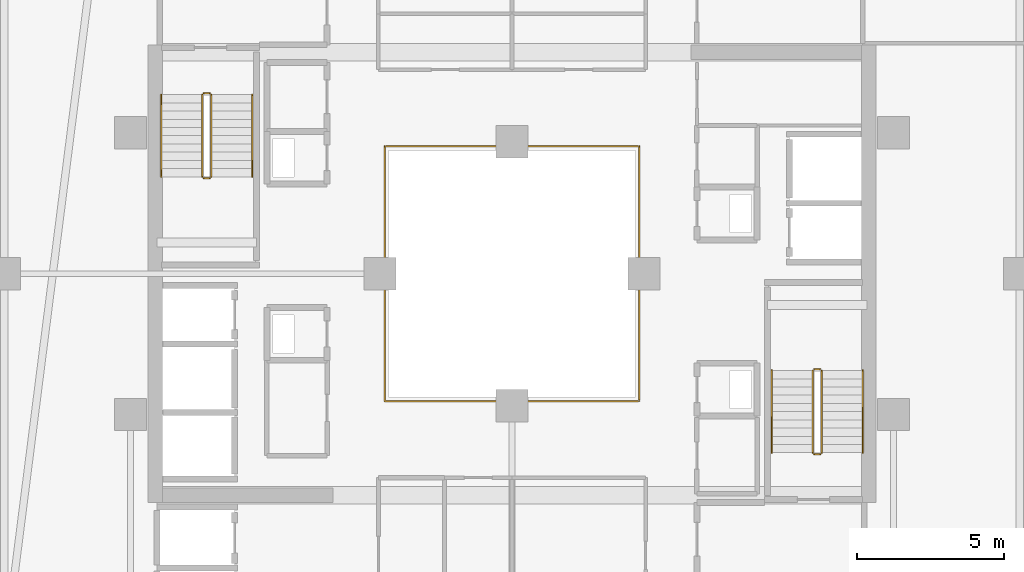
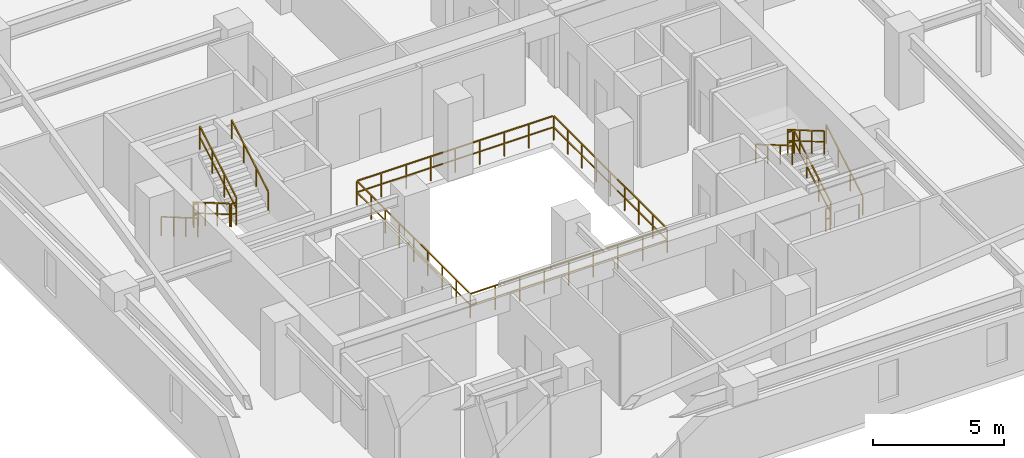
# One storey, part 32 of 33: 13 railings.
"""IFC4 building model written with IfcOpenShell, lengths in metres."""

from ifc_helpers import new_model, si_unit, direction, frame, origin, origin_2d, place, context, subcontext, project, spatial, rectangle, extrude, material, type_object, element, save


model = new_model("IFC4")

# Units and contexts
model_context = context("Model", 3, precision=1e-05, world=origin(), true_north=direction((0.0, 1.0)))
body_context = subcontext(model_context, "Body", "Model", "MODEL_VIEW")
ifc_project = project(units=[si_unit("LENGTHUNIT", "METRE"), si_unit("AREAUNIT", "SQUARE_METRE"), si_unit("VOLUMEUNIT", "CUBIC_METRE"), si_unit("PLANEANGLEUNIT", "RADIAN"), si_unit("MASSUNIT", "GRAM", prefix="KILO")], contexts=[model_context])

# Site, building, storey
site_placement = place(None, origin())
site = spatial("IfcSite", under=ifc_project, at=site_placement, CompositionType="ELEMENT")
building_placement = place(site_placement, origin())
building = spatial("IfcBuilding", under=site, at=building_placement, Name="Thornwick Lancets Civic Towers", CompositionType="ELEMENT")
storey_placement = place(building_placement, frame((0.0, 0.0, 167.10009765625)))
storey = spatial("IfcBuildingStorey", under=building, at=storey_placement, Name="L44", CompositionType="ELEMENT", Elevation=167.10009765625)

# Railings
ifc_material_1 = material(Name="Laminated glass and bronze steel S355", Category="steel")
railing_type_1 = type_object("IfcRailingType", Name="RAIL_ATRIUM_GUARD", PredefinedType="BALUSTRADE", material=ifc_material_1)
railing_1_placement = place(storey_placement, frame((84.159912109375, 22.659912109375, 0.0)))
element("IfcRailing", 1, at=railing_1_placement, inside=storey, type_object=railing_type_1, Name="L44 Tower B Central Atrium Guard Balustrade", PredefinedType="BALUSTRADE", context=body_context, shape_type="SweptSolid", body=[
    extrude(rectangle(XDim=0.048095703125, YDim=0.048095703125, at=origin_2d()), frame((0.0, 0.0, 1.1259765625), z_axis=(1.0, 0.0, 0.0), x_axis=(0.0, 1.0, 0.0)), (0.0, 0.0, 1.0), 8.64892578125),
    extrude(rectangle(XDim=0.0419921875, YDim=0.0419921875, at=origin_2d()), frame((0.03759765625, 0.0, 0.597900390625), z_axis=(1.0, 0.0, 0.0), x_axis=(0.0, 1.0, 0.0)), (0.0, 0.0, 1.0), 1.010009765625),
    extrude(rectangle(XDim=0.0419921875, YDim=0.0419921875, at=origin_2d()), frame((1.12255859375, 0.0, 0.597900390625), z_axis=(1.0, 0.0, 0.0), x_axis=(0.0, 1.0, 0.0)), (0.0, 0.0, 1.0), 1.010009765625),
    extrude(rectangle(XDim=0.0419921875, YDim=0.0419921875, at=origin_2d()), frame((2.20751953125, 0.0, 0.597900390625), z_axis=(1.0, 0.0, 0.0), x_axis=(0.0, 1.0, 0.0)), (0.0, 0.0, 1.0), 1.010009765625),
    extrude(rectangle(XDim=0.0419921875, YDim=0.0419921875, at=origin_2d()), frame((3.29248046875, 0.0, 0.597900390625), z_axis=(1.0, 0.0, 0.0), x_axis=(0.0, 1.0, 0.0)), (0.0, 0.0, 1.0), 1.010009765625),
    extrude(rectangle(XDim=0.0419921875, YDim=0.0419921875, at=origin_2d()), frame((4.377685546875, 0.0, 0.597900390625), z_axis=(1.0, 0.0, 0.0), x_axis=(0.0, 1.0, 0.0)), (0.0, 0.0, 1.0), 1.010009765625),
    extrude(rectangle(XDim=0.0419921875, YDim=0.0419921875, at=origin_2d()), frame((5.462646484375, 0.0, 0.597900390625), z_axis=(1.0, 0.0, 0.0), x_axis=(0.0, 1.0, 0.0)), (0.0, 0.0, 1.0), 1.010009765625),
    extrude(rectangle(XDim=0.0419921875, YDim=0.0419921875, at=origin_2d()), frame((6.547607421875, 0.0, 0.597900390625), z_axis=(1.0, 0.0, 0.0), x_axis=(0.0, 1.0, 0.0)), (0.0, 0.0, 1.0), 1.010009765625),
    extrude(rectangle(XDim=0.0419921875, YDim=0.0419921875, at=origin_2d()), frame((7.632568359375, 0.0, 0.597900390625), z_axis=(1.0, 0.0, 0.0), x_axis=(0.0, 1.0, 0.0)), (0.0, 0.0, 1.0), 1.010009765625),
    extrude(rectangle(XDim=0.048095703125, YDim=0.048095703125, at=origin_2d()), frame((8.68017578125, 0.03125, 1.1259765625), z_axis=(0.0, 1.0, 0.0), x_axis=(-1.0, 0.0, 0.0)), (0.0, 0.0, 1.0), 8.61767578125),
    extrude(rectangle(XDim=0.0419921875, YDim=0.0419921875, at=origin_2d()), frame((8.68017578125, 0.03759765625, 0.597900390625), z_axis=(0.0, 1.0, 0.0), x_axis=(-1.0, 0.0, 0.0)), (0.0, 0.0, 1.0), 1.010009765625),
    extrude(rectangle(XDim=0.0419921875, YDim=0.0419921875, at=origin_2d()), frame((8.68017578125, 1.12255859375, 0.597900390625), z_axis=(0.0, 1.0, 0.0), x_axis=(-1.0, 0.0, 0.0)), (0.0, 0.0, 1.0), 1.010009765625),
    extrude(rectangle(XDim=0.0419921875, YDim=0.0419921875, at=origin_2d()), frame((8.68017578125, 2.20751953125, 0.597900390625), z_axis=(0.0, 1.0, 0.0), x_axis=(-1.0, 0.0, 0.0)), (0.0, 0.0, 1.0), 1.010009765625),
    extrude(rectangle(XDim=0.0419921875, YDim=0.0419921875, at=origin_2d()), frame((8.68017578125, 3.29248046875, 0.597900390625), z_axis=(0.0, 1.0, 0.0), x_axis=(-1.0, 0.0, 0.0)), (0.0, 0.0, 1.0), 1.010009765625),
    extrude(rectangle(XDim=0.0419921875, YDim=0.0419921875, at=origin_2d()), frame((8.68017578125, 4.377685546875, 0.597900390625), z_axis=(0.0, 1.0, 0.0), x_axis=(-1.0, 0.0, 0.0)), (0.0, 0.0, 1.0), 1.010009765625),
    extrude(rectangle(XDim=0.0419921875, YDim=0.0419921875, at=origin_2d()), frame((8.68017578125, 5.462646484375, 0.597900390625), z_axis=(0.0, 1.0, 0.0), x_axis=(-1.0, 0.0, 0.0)), (0.0, 0.0, 1.0), 1.010009765625),
    extrude(rectangle(XDim=0.0419921875, YDim=0.0419921875, at=origin_2d()), frame((8.68017578125, 6.547607421875, 0.597900390625), z_axis=(0.0, 1.0, 0.0), x_axis=(-1.0, 0.0, 0.0)), (0.0, 0.0, 1.0), 1.010009765625),
    extrude(rectangle(XDim=0.0419921875, YDim=0.0419921875, at=origin_2d()), frame((8.68017578125, 7.632568359375, 0.597900390625), z_axis=(0.0, 1.0, 0.0), x_axis=(-1.0, 0.0, 0.0)), (0.0, 0.0, 1.0), 1.010009765625),
    extrude(rectangle(XDim=0.048095703125, YDim=0.048095703125, at=origin_2d()), frame((8.64892578125, 8.68017578125, 1.1259765625), z_axis=(-1.0, 0.0, 0.0), x_axis=(0.0, -1.0, 0.0)), (0.0, 0.0, 1.0), 8.61767578125),
    extrude(rectangle(XDim=0.0419921875, YDim=0.0419921875, at=origin_2d()), frame((8.642578125, 8.68017578125, 0.597900390625), z_axis=(-1.0, 0.0, 0.0), x_axis=(0.0, -1.0, 0.0)), (0.0, 0.0, 1.0), 1.010009765625),
    extrude(rectangle(XDim=0.0419921875, YDim=0.0419921875, at=origin_2d()), frame((7.5576171875, 8.68017578125, 0.597900390625), z_axis=(-1.0, 0.0, 0.0), x_axis=(0.0, -1.0, 0.0)), (0.0, 0.0, 1.0), 1.010009765625),
    extrude(rectangle(XDim=0.0419921875, YDim=0.0419921875, at=origin_2d()), frame((6.47265625, 8.68017578125, 0.597900390625), z_axis=(-1.0, 0.0, 0.0), x_axis=(0.0, -1.0, 0.0)), (0.0, 0.0, 1.0), 1.010009765625),
    extrude(rectangle(XDim=0.0419921875, YDim=0.0419921875, at=origin_2d()), frame((5.3876953125, 8.68017578125, 0.597900390625), z_axis=(-1.0, 0.0, 0.0), x_axis=(0.0, -1.0, 0.0)), (0.0, 0.0, 1.0), 1.010009765625),
    extrude(rectangle(XDim=0.0419921875, YDim=0.0419921875, at=origin_2d()), frame((4.302490234375, 8.68017578125, 0.597900390625), z_axis=(-1.0, 0.0, 0.0), x_axis=(0.0, -1.0, 0.0)), (0.0, 0.0, 1.0), 1.010009765625),
    extrude(rectangle(XDim=0.0419921875, YDim=0.0419921875, at=origin_2d()), frame((3.217529296875, 8.68017578125, 0.597900390625), z_axis=(-1.0, 0.0, 0.0), x_axis=(0.0, -1.0, 0.0)), (0.0, 0.0, 1.0), 1.010009765625),
    extrude(rectangle(XDim=0.0419921875, YDim=0.0419921875, at=origin_2d()), frame((2.132568359375, 8.68017578125, 0.597900390625), z_axis=(-1.0, 0.0, 0.0), x_axis=(0.0, -1.0, 0.0)), (0.0, 0.0, 1.0), 1.010009765625),
    extrude(rectangle(XDim=0.0419921875, YDim=0.0419921875, at=origin_2d()), frame((1.047607421875, 8.68017578125, 0.597900390625), z_axis=(-1.0, 0.0, 0.0), x_axis=(0.0, -1.0, 0.0)), (0.0, 0.0, 1.0), 1.010009765625),
    extrude(rectangle(XDim=0.048095703125, YDim=0.048095703125, at=origin_2d()), frame((0.0, 8.64892578125, 1.1259765625), z_axis=(0.0, -1.0, 0.0), x_axis=(1.0, 0.0, 0.0)), (0.0, 0.0, 1.0), 8.64892578125),
    extrude(rectangle(XDim=0.0419921875, YDim=0.0419921875, at=origin_2d()), frame((0.0, 8.642578125, 0.597900390625), z_axis=(0.0, -1.0, 0.0), x_axis=(1.0, 0.0, 0.0)), (0.0, 0.0, 1.0), 1.010009765625),
    extrude(rectangle(XDim=0.0419921875, YDim=0.0419921875, at=origin_2d()), frame((0.0, 7.5576171875, 0.597900390625), z_axis=(0.0, -1.0, 0.0), x_axis=(1.0, 0.0, 0.0)), (0.0, 0.0, 1.0), 1.010009765625),
    extrude(rectangle(XDim=0.0419921875, YDim=0.0419921875, at=origin_2d()), frame((0.0, 6.47265625, 0.597900390625), z_axis=(0.0, -1.0, 0.0), x_axis=(1.0, 0.0, 0.0)), (0.0, 0.0, 1.0), 1.010009765625),
    extrude(rectangle(XDim=0.0419921875, YDim=0.0419921875, at=origin_2d()), frame((0.0, 5.3876953125, 0.597900390625), z_axis=(0.0, -1.0, 0.0), x_axis=(1.0, 0.0, 0.0)), (0.0, 0.0, 1.0), 1.010009765625),
    extrude(rectangle(XDim=0.0419921875, YDim=0.0419921875, at=origin_2d()), frame((0.0, 4.302490234375, 0.597900390625), z_axis=(0.0, -1.0, 0.0), x_axis=(1.0, 0.0, 0.0)), (0.0, 0.0, 1.0), 1.010009765625),
    extrude(rectangle(XDim=0.0419921875, YDim=0.0419921875, at=origin_2d()), frame((0.0, 3.217529296875, 0.597900390625), z_axis=(0.0, -1.0, 0.0), x_axis=(1.0, 0.0, 0.0)), (0.0, 0.0, 1.0), 1.010009765625),
    extrude(rectangle(XDim=0.0419921875, YDim=0.0419921875, at=origin_2d()), frame((0.0, 2.132568359375, 0.597900390625), z_axis=(0.0, -1.0, 0.0), x_axis=(1.0, 0.0, 0.0)), (0.0, 0.0, 1.0), 1.010009765625),
    extrude(rectangle(XDim=0.0419921875, YDim=0.0419921875, at=origin_2d()), frame((0.0, 1.047607421875, 0.597900390625), z_axis=(0.0, -1.0, 0.0), x_axis=(1.0, 0.0, 0.0)), (0.0, 0.0, 1.0), 1.010009765625),
    extrude(rectangle(XDim=0.0419921875, YDim=0.0419921875, at=origin_2d()), origin(), (0.0, 0.0, 1.0), 1.095703125),
    extrude(rectangle(XDim=0.0419921875, YDim=0.0419921875, at=origin_2d()), frame((1.0849609375, 0.0, 0.0)), (0.0, 0.0, 1.0), 1.095703125),
    extrude(rectangle(XDim=0.0419921875, YDim=0.0419921875, at=origin_2d()), frame((2.169921875, 0.0, 0.0)), (0.0, 0.0, 1.0), 1.095703125),
    extrude(rectangle(XDim=0.0419921875, YDim=0.0419921875, at=origin_2d()), frame((3.255126953125, 0.0, 0.0)), (0.0, 0.0, 1.0), 1.095703125),
    extrude(rectangle(XDim=0.0419921875, YDim=0.0419921875, at=origin_2d()), frame((4.340087890625, 0.0, 0.0)), (0.0, 0.0, 1.0), 1.095703125),
    extrude(rectangle(XDim=0.0419921875, YDim=0.0419921875, at=origin_2d()), frame((5.425048828125, 0.0, 0.0)), (0.0, 0.0, 1.0), 1.095703125),
    extrude(rectangle(XDim=0.0419921875, YDim=0.0419921875, at=origin_2d()), frame((6.51025390625, 0.0, 0.0)), (0.0, 0.0, 1.0), 1.095703125),
    extrude(rectangle(XDim=0.0419921875, YDim=0.0419921875, at=origin_2d()), frame((7.59521484375, 0.0, 0.0)), (0.0, 0.0, 1.0), 1.095703125),
    extrude(rectangle(XDim=0.0419921875, YDim=0.0419921875, at=origin_2d()), frame((8.68017578125, 0.0, 0.0)), (0.0, 0.0, 1.0), 1.095703125),
    extrude(rectangle(XDim=0.0419921875, YDim=0.0419921875, at=origin_2d()), frame((8.68017578125, 1.0849609375, 0.0)), (0.0, 0.0, 1.0), 1.095703125),
    extrude(rectangle(XDim=0.0419921875, YDim=0.0419921875, at=origin_2d()), frame((8.68017578125, 2.169921875, 0.0)), (0.0, 0.0, 1.0), 1.095703125),
    extrude(rectangle(XDim=0.0419921875, YDim=0.0419921875, at=origin_2d()), frame((8.68017578125, 3.255126953125, 0.0)), (0.0, 0.0, 1.0), 1.095703125),
    extrude(rectangle(XDim=0.0419921875, YDim=0.0419921875, at=origin_2d()), frame((8.68017578125, 4.340087890625, 0.0)), (0.0, 0.0, 1.0), 1.095703125),
    extrude(rectangle(XDim=0.0419921875, YDim=0.0419921875, at=origin_2d()), frame((8.68017578125, 5.425048828125, 0.0)), (0.0, 0.0, 1.0), 1.095703125),
    extrude(rectangle(XDim=0.0419921875, YDim=0.0419921875, at=origin_2d()), frame((8.68017578125, 6.51025390625, 0.0)), (0.0, 0.0, 1.0), 1.095703125),
    extrude(rectangle(XDim=0.0419921875, YDim=0.0419921875, at=origin_2d()), frame((8.68017578125, 7.59521484375, 0.0)), (0.0, 0.0, 1.0), 1.095703125),
    extrude(rectangle(XDim=0.0419921875, YDim=0.0419921875, at=origin_2d()), frame((8.68017578125, 8.68017578125, 0.0)), (0.0, 0.0, 1.0), 1.095703125),
    extrude(rectangle(XDim=0.0419921875, YDim=0.0419921875, at=origin_2d()), frame((7.59521484375, 8.68017578125, 0.0)), (0.0, 0.0, 1.0), 1.095703125),
    extrude(rectangle(XDim=0.0419921875, YDim=0.0419921875, at=origin_2d()), frame((6.51025390625, 8.68017578125, 0.0)), (0.0, 0.0, 1.0), 1.095703125),
    extrude(rectangle(XDim=0.0419921875, YDim=0.0419921875, at=origin_2d()), frame((5.425048828125, 8.68017578125, 0.0)), (0.0, 0.0, 1.0), 1.095703125),
    extrude(rectangle(XDim=0.0419921875, YDim=0.0419921875, at=origin_2d()), frame((4.340087890625, 8.68017578125, 0.0)), (0.0, 0.0, 1.0), 1.095703125),
    extrude(rectangle(XDim=0.0419921875, YDim=0.0419921875, at=origin_2d()), frame((3.255126953125, 8.68017578125, 0.0)), (0.0, 0.0, 1.0), 1.095703125),
    extrude(rectangle(XDim=0.0419921875, YDim=0.0419921875, at=origin_2d()), frame((2.169921875, 8.68017578125, 0.0)), (0.0, 0.0, 1.0), 1.095703125),
    extrude(rectangle(XDim=0.0419921875, YDim=0.0419921875, at=origin_2d()), frame((1.0849609375, 8.68017578125, 0.0)), (0.0, 0.0, 1.0), 1.095703125),
    extrude(rectangle(XDim=0.0419921875, YDim=0.0419921875, at=origin_2d()), frame((0.0, 8.68017578125, 0.0)), (0.0, 0.0, 1.0), 1.095703125),
    extrude(rectangle(XDim=0.0419921875, YDim=0.0419921875, at=origin_2d()), frame((0.0, 7.59521484375, 0.0)), (0.0, 0.0, 1.0), 1.095703125),
    extrude(rectangle(XDim=0.0419921875, YDim=0.0419921875, at=origin_2d()), frame((0.0, 6.51025390625, 0.0)), (0.0, 0.0, 1.0), 1.095703125),
    extrude(rectangle(XDim=0.0419921875, YDim=0.0419921875, at=origin_2d()), frame((0.0, 5.425048828125, 0.0)), (0.0, 0.0, 1.0), 1.095703125),
    extrude(rectangle(XDim=0.0419921875, YDim=0.0419921875, at=origin_2d()), frame((0.0, 4.340087890625, 0.0)), (0.0, 0.0, 1.0), 1.095703125),
    extrude(rectangle(XDim=0.0419921875, YDim=0.0419921875, at=origin_2d()), frame((0.0, 3.255126953125, 0.0)), (0.0, 0.0, 1.0), 1.095703125),
    extrude(rectangle(XDim=0.0419921875, YDim=0.0419921875, at=origin_2d()), frame((0.0, 2.169921875, 0.0)), (0.0, 0.0, 1.0), 1.095703125),
    extrude(rectangle(XDim=0.0419921875, YDim=0.0419921875, at=origin_2d()), frame((0.0, 1.0849609375, 0.0)), (0.0, 0.0, 1.0), 1.095703125),
])
ifc_material_2 = material(Name="Brushed stainless steel S355", Category="steel")
railing_type_2 = type_object("IfcRailingType", Name="RAIL_HANDRAIL", PredefinedType="HANDRAIL", material=ifc_material_2)
railing_2_placement = place(storey_placement, frame((100.449951171875, 20.89990234375, 0.16357421875)))
element("IfcRailing", 2, at=railing_2_placement, inside=storey, type_object=railing_type_2, Name="L44 ST-B1 stair handrail 1", PredefinedType="HANDRAIL", context=body_context, shape_type="SweptSolid", body=[
    extrude(rectangle(XDim=0.048095703125, YDim=0.048095703125, at=origin_2d()), frame((0.0, 0.0, 0.8857421875), z_axis=(0.0, 0.863393664356, 0.504530851732), x_axis=(-1.0, 0.0, 0.0)), (0.0, 0.0, 1.0), 3.2431640625),
    extrude(rectangle(XDim=0.0419921875, YDim=0.0419921875, at=origin_2d()), origin(), (0.0, 0.0, 1.0), 0.855712890625),
    extrude(rectangle(XDim=0.0419921875, YDim=0.0419921875, at=origin_2d()), frame((0.0, 0.933349609375, 0.54541015625)), (0.0, 0.0, 1.0), 0.855712890625),
    extrude(rectangle(XDim=0.0419921875, YDim=0.0419921875, at=origin_2d()), frame((0.0, 1.86669921875, 1.0908203125)), (0.0, 0.0, 1.0), 0.855712890625),
    extrude(rectangle(XDim=0.0419921875, YDim=0.0419921875, at=origin_2d()), frame((0.0, 2.800048828125, 1.63623046875)), (0.0, 0.0, 1.0), 0.855712890625),
])
for number, where, name in (
    (3, (97.35009765625, 23.699951171875, 1.963623046875), "L44 ST-B1 stair handrail 2"),
    (4, (76.550048828125, 33.10009765625, 0.16357421875), "L44 ST-B2 stair handrail 1"),
):
    element("IfcRailing", number, at=place(storey_placement, frame(where)), inside=storey, type_object=railing_type_2, Name=name, PredefinedType="HANDRAIL", context=body_context, shape_type="SweptSolid", body=[
        extrude(rectangle(XDim=0.048095703125, YDim=0.048095703125, at=origin_2d()), frame((0.0, 0.0, 0.8857421875), z_axis=(0.0, -0.863393664356, 0.504530851732), x_axis=(1.0, 0.0, 0.0)), (0.0, 0.0, 1.0), 3.2431640625),
        extrude(rectangle(XDim=0.0419921875, YDim=0.0419921875, at=origin_2d()), origin(), (0.0, 0.0, 1.0), 0.855712890625),
        extrude(rectangle(XDim=0.0419921875, YDim=0.0419921875, at=origin_2d()), frame((0.0, -0.933349609375, 0.54541015625)), (0.0, 0.0, 1.0), 0.855712890625),
        extrude(rectangle(XDim=0.0419921875, YDim=0.0419921875, at=origin_2d()), frame((0.0, -1.86669921875, 1.0908203125)), (0.0, 0.0, 1.0), 0.855712890625),
        extrude(rectangle(XDim=0.0419921875, YDim=0.0419921875, at=origin_2d()), frame((0.0, -2.800048828125, 1.63623046875)), (0.0, 0.0, 1.0), 0.855712890625),
    ])
railing_3_placement = place(storey_placement, frame((79.64990234375, 30.300048828125, 1.963623046875)))
element("IfcRailing", 5, at=railing_3_placement, inside=storey, type_object=railing_type_2, Name="L44 ST-B2 stair handrail 2", PredefinedType="HANDRAIL", context=body_context, shape_type="SweptSolid", body=[
    extrude(rectangle(XDim=0.048095703125, YDim=0.048095703125, at=origin_2d()), frame((0.0, 0.0, 0.8857421875), z_axis=(0.0, 0.863393664356, 0.504530851732), x_axis=(-1.0, 0.0, 0.0)), (0.0, 0.0, 1.0), 3.2431640625),
    extrude(rectangle(XDim=0.0419921875, YDim=0.0419921875, at=origin_2d()), origin(), (0.0, 0.0, 1.0), 0.855712890625),
    extrude(rectangle(XDim=0.0419921875, YDim=0.0419921875, at=origin_2d()), frame((0.0, 0.933349609375, 0.54541015625)), (0.0, 0.0, 1.0), 0.855712890625),
    extrude(rectangle(XDim=0.0419921875, YDim=0.0419921875, at=origin_2d()), frame((0.0, 1.86669921875, 1.0908203125)), (0.0, 0.0, 1.0), 0.855712890625),
    extrude(rectangle(XDim=0.0419921875, YDim=0.0419921875, at=origin_2d()), frame((0.0, 2.800048828125, 1.63623046875)), (0.0, 0.0, 1.0), 0.855712890625),
])
ifc_material_3 = material(Name="Steel S355JR", Category="steel")
railing_type_3 = type_object("IfcRailingType", Name="RAIL_STAIR_GUARD", PredefinedType="GUARDRAIL", material=ifc_material_3)
railing_4_placement = place(storey_placement, frame((99.050048828125, 20.89990234375, 0.16357421875)))
element("IfcRailing", 6, at=railing_4_placement, inside=storey, type_object=railing_type_3, Name="L44 ST-B1 stair guard 1", PredefinedType="GUARDRAIL", context=body_context, shape_type="SweptSolid", body=[
    extrude(rectangle(XDim=0.048095703125, YDim=0.048095703125, at=origin_2d()), frame((0.0, 0.0, 1.076171875), z_axis=(0.0, 0.863393664356, 0.504530851732), x_axis=(-1.0, 0.0, 0.0)), (0.0, 0.0, 1.0), 3.2431640625),
    extrude(rectangle(XDim=0.0419921875, YDim=0.0419921875, at=origin_2d()), frame((0.0, 0.032470703125, 0.591064453125), z_axis=(0.0, 0.863393664356, 0.504530851732), x_axis=(-1.0, 0.0, 0.0)), (0.0, 0.0, 1.0), 1.006103515625),
    extrude(rectangle(XDim=0.0419921875, YDim=0.0419921875, at=origin_2d()), frame((0.0, 0.9658203125, 1.136474609375), z_axis=(0.0, 0.863393664356, 0.504530851732), x_axis=(-1.0, 0.0, 0.0)), (0.0, 0.0, 1.0), 1.006103515625),
    extrude(rectangle(XDim=0.0419921875, YDim=0.0419921875, at=origin_2d()), frame((0.0, 1.899169921875, 1.681884765625), z_axis=(0.0, 0.863393664356, 0.504530851732), x_axis=(-1.0, 0.0, 0.0)), (0.0, 0.0, 1.0), 1.006103515625),
    extrude(rectangle(XDim=0.0419921875, YDim=0.0419921875, at=origin_2d()), origin(), (0.0, 0.0, 1.0), 1.0458984375),
    extrude(rectangle(XDim=0.0419921875, YDim=0.0419921875, at=origin_2d()), frame((0.0, 0.933349609375, 0.54541015625)), (0.0, 0.0, 1.0), 1.0458984375),
    extrude(rectangle(XDim=0.0419921875, YDim=0.0419921875, at=origin_2d()), frame((0.0, 1.86669921875, 1.0908203125)), (0.0, 0.0, 1.0), 1.0458984375),
    extrude(rectangle(XDim=0.0419921875, YDim=0.0419921875, at=origin_2d()), frame((0.0, 2.800048828125, 1.63623046875)), (0.0, 0.0, 1.0), 1.0458984375),
])
railing_5_placement = place(storey_placement, frame((99.0, 23.75, 1.7998046875)))
element("IfcRailing", 7, at=railing_5_placement, inside=storey, type_object=railing_type_3, Name="L44 ST-B1 stair guard 2", PredefinedType="GUARDRAIL", context=body_context, shape_type="SweptSolid", body=[
    extrude(rectangle(XDim=0.048095703125, YDim=0.048095703125, at=origin_2d()), frame((0.0, 0.0, 1.076171875), z_axis=(-1.0, 0.0, 0.0), x_axis=(0.0, -1.0, 0.0)), (0.0, 0.0, 1.0), 0.199951171875),
    extrude(rectangle(XDim=0.0419921875, YDim=0.0419921875, at=origin_2d()), frame((-0.03759765625, 0.0, 0.572021484375), z_axis=(-1.0, 0.0, 0.0), x_axis=(0.0, -1.0, 0.0)), (0.0, 0.0, 1.0), 0.125),
    extrude(rectangle(XDim=0.0419921875, YDim=0.0419921875, at=origin_2d()), origin(), (0.0, 0.0, 1.0), 1.0458984375),
    extrude(rectangle(XDim=0.0419921875, YDim=0.0419921875, at=origin_2d()), frame((-0.199951171875, 0.0, 0.0)), (0.0, 0.0, 1.0), 1.0458984375),
])
railing_6_placement = place(storey_placement, frame((98.75, 23.699951171875, 1.963623046875)))
element("IfcRailing", 8, at=railing_6_placement, inside=storey, type_object=railing_type_3, Name="L44 ST-B1 stair guard 3", PredefinedType="GUARDRAIL", context=body_context, shape_type="SweptSolid", body=[
    extrude(rectangle(XDim=0.048095703125, YDim=0.048095703125, at=origin_2d()), frame((0.0, 0.0, 1.076171875), z_axis=(0.0, -0.863393664356, 0.504530851732), x_axis=(1.0, 0.0, 0.0)), (0.0, 0.0, 1.0), 3.2431640625),
    extrude(rectangle(XDim=0.0419921875, YDim=0.0419921875, at=origin_2d()), frame((0.0, -0.032470703125, 0.591064453125), z_axis=(0.0, -0.863393664356, 0.504530851732), x_axis=(1.0, 0.0, 0.0)), (0.0, 0.0, 1.0), 1.006103515625),
    extrude(rectangle(XDim=0.0419921875, YDim=0.0419921875, at=origin_2d()), frame((0.0, -0.9658203125, 1.136474609375), z_axis=(0.0, -0.863393664356, 0.504530851732), x_axis=(1.0, 0.0, 0.0)), (0.0, 0.0, 1.0), 1.006103515625),
    extrude(rectangle(XDim=0.0419921875, YDim=0.0419921875, at=origin_2d()), frame((0.0, -1.899169921875, 1.681884765625), z_axis=(0.0, -0.863393664356, 0.504530851732), x_axis=(1.0, 0.0, 0.0)), (0.0, 0.0, 1.0), 1.006103515625),
    extrude(rectangle(XDim=0.0419921875, YDim=0.0419921875, at=origin_2d()), origin(), (0.0, 0.0, 1.0), 1.0458984375),
    extrude(rectangle(XDim=0.0419921875, YDim=0.0419921875, at=origin_2d()), frame((0.0, -0.933349609375, 0.54541015625)), (0.0, 0.0, 1.0), 1.0458984375),
    extrude(rectangle(XDim=0.0419921875, YDim=0.0419921875, at=origin_2d()), frame((0.0, -1.86669921875, 1.0908203125)), (0.0, 0.0, 1.0), 1.0458984375),
    extrude(rectangle(XDim=0.0419921875, YDim=0.0419921875, at=origin_2d()), frame((0.0, -2.800048828125, 1.63623046875)), (0.0, 0.0, 1.0), 1.0458984375),
])
railing_7_placement = place(storey_placement, frame((99.0, 20.85009765625, 0.0)))
element("IfcRailing", 9, at=railing_7_placement, inside=storey, type_object=railing_type_3, Name="L44 ST-B1 stair guard 4", PredefinedType="GUARDRAIL", context=body_context, shape_type="SweptSolid", body=[
    extrude(rectangle(XDim=0.048095703125, YDim=0.048095703125, at=origin_2d()), frame((0.0, 0.0, 1.076171875), z_axis=(-1.0, 0.0, 0.0), x_axis=(0.0, -1.0, 0.0)), (0.0, 0.0, 1.0), 0.199951171875),
    extrude(rectangle(XDim=0.0419921875, YDim=0.0419921875, at=origin_2d()), frame((-0.03759765625, 0.0, 0.572021484375), z_axis=(-1.0, 0.0, 0.0), x_axis=(0.0, -1.0, 0.0)), (0.0, 0.0, 1.0), 0.125),
    extrude(rectangle(XDim=0.0419921875, YDim=0.0419921875, at=origin_2d()), origin(), (0.0, 0.0, 1.0), 1.0458984375),
    extrude(rectangle(XDim=0.0419921875, YDim=0.0419921875, at=origin_2d()), frame((-0.199951171875, 0.0, 0.0)), (0.0, 0.0, 1.0), 1.0458984375),
])
railing_8_placement = place(storey_placement, frame((77.949951171875, 33.10009765625, 0.16357421875)))
element("IfcRailing", 10, at=railing_8_placement, inside=storey, type_object=railing_type_3, Name="L44 ST-B2 stair guard 1", PredefinedType="GUARDRAIL", context=body_context, shape_type="SweptSolid", body=[
    extrude(rectangle(XDim=0.048095703125, YDim=0.048095703125, at=origin_2d()), frame((0.0, 0.0, 1.076171875), z_axis=(0.0, -0.863393664356, 0.504530851732), x_axis=(1.0, 0.0, 0.0)), (0.0, 0.0, 1.0), 3.2431640625),
    extrude(rectangle(XDim=0.0419921875, YDim=0.0419921875, at=origin_2d()), frame((0.0, -0.032470703125, 0.591064453125), z_axis=(0.0, -0.863393664356, 0.504530851732), x_axis=(1.0, 0.0, 0.0)), (0.0, 0.0, 1.0), 1.006103515625),
    extrude(rectangle(XDim=0.0419921875, YDim=0.0419921875, at=origin_2d()), frame((0.0, -0.9658203125, 1.136474609375), z_axis=(0.0, -0.863393664356, 0.504530851732), x_axis=(1.0, 0.0, 0.0)), (0.0, 0.0, 1.0), 1.006103515625),
    extrude(rectangle(XDim=0.0419921875, YDim=0.0419921875, at=origin_2d()), frame((0.0, -1.899169921875, 1.681884765625), z_axis=(0.0, -0.863393664356, 0.504530851732), x_axis=(1.0, 0.0, 0.0)), (0.0, 0.0, 1.0), 1.006103515625),
    extrude(rectangle(XDim=0.0419921875, YDim=0.0419921875, at=origin_2d()), origin(), (0.0, 0.0, 1.0), 1.0458984375),
    extrude(rectangle(XDim=0.0419921875, YDim=0.0419921875, at=origin_2d()), frame((0.0, -0.933349609375, 0.54541015625)), (0.0, 0.0, 1.0), 1.0458984375),
    extrude(rectangle(XDim=0.0419921875, YDim=0.0419921875, at=origin_2d()), frame((0.0, -1.86669921875, 1.0908203125)), (0.0, 0.0, 1.0), 1.0458984375),
    extrude(rectangle(XDim=0.0419921875, YDim=0.0419921875, at=origin_2d()), frame((0.0, -2.800048828125, 1.63623046875)), (0.0, 0.0, 1.0), 1.0458984375),
])
railing_9_placement = place(storey_placement, frame((78.0, 30.25, 1.7998046875)))
element("IfcRailing", 11, at=railing_9_placement, inside=storey, type_object=railing_type_3, Name="L44 ST-B2 stair guard 2", PredefinedType="GUARDRAIL", context=body_context, shape_type="SweptSolid", body=[
    extrude(rectangle(XDim=0.048095703125, YDim=0.048095703125, at=origin_2d()), frame((0.0, 0.0, 1.076171875), z_axis=(1.0, 0.0, 0.0), x_axis=(0.0, 1.0, 0.0)), (0.0, 0.0, 1.0), 0.199951171875),
    extrude(rectangle(XDim=0.0419921875, YDim=0.0419921875, at=origin_2d()), frame((0.03759765625, 0.0, 0.572021484375), z_axis=(1.0, 0.0, 0.0), x_axis=(0.0, 1.0, 0.0)), (0.0, 0.0, 1.0), 0.125),
    extrude(rectangle(XDim=0.0419921875, YDim=0.0419921875, at=origin_2d()), origin(), (0.0, 0.0, 1.0), 1.0458984375),
    extrude(rectangle(XDim=0.0419921875, YDim=0.0419921875, at=origin_2d()), frame((0.199951171875, 0.0, 0.0)), (0.0, 0.0, 1.0), 1.0458984375),
])
railing_10_placement = place(storey_placement, frame((78.25, 30.300048828125, 1.963623046875)))
element("IfcRailing", 12, at=railing_10_placement, inside=storey, type_object=railing_type_3, Name="L44 ST-B2 stair guard 3", PredefinedType="GUARDRAIL", context=body_context, shape_type="SweptSolid", body=[
    extrude(rectangle(XDim=0.048095703125, YDim=0.048095703125, at=origin_2d()), frame((0.0, 0.0, 1.076171875), z_axis=(0.0, 0.863393664356, 0.504530851732), x_axis=(-1.0, 0.0, 0.0)), (0.0, 0.0, 1.0), 3.2431640625),
    extrude(rectangle(XDim=0.0419921875, YDim=0.0419921875, at=origin_2d()), frame((0.0, 0.032470703125, 0.591064453125), z_axis=(0.0, 0.863393664356, 0.504530851732), x_axis=(-1.0, 0.0, 0.0)), (0.0, 0.0, 1.0), 1.006103515625),
    extrude(rectangle(XDim=0.0419921875, YDim=0.0419921875, at=origin_2d()), frame((0.0, 0.9658203125, 1.136474609375), z_axis=(0.0, 0.863393664356, 0.504530851732), x_axis=(-1.0, 0.0, 0.0)), (0.0, 0.0, 1.0), 1.006103515625),
    extrude(rectangle(XDim=0.0419921875, YDim=0.0419921875, at=origin_2d()), frame((0.0, 1.899169921875, 1.681884765625), z_axis=(0.0, 0.863393664356, 0.504530851732), x_axis=(-1.0, 0.0, 0.0)), (0.0, 0.0, 1.0), 1.006103515625),
    extrude(rectangle(XDim=0.0419921875, YDim=0.0419921875, at=origin_2d()), origin(), (0.0, 0.0, 1.0), 1.0458984375),
    extrude(rectangle(XDim=0.0419921875, YDim=0.0419921875, at=origin_2d()), frame((0.0, 0.933349609375, 0.54541015625)), (0.0, 0.0, 1.0), 1.0458984375),
    extrude(rectangle(XDim=0.0419921875, YDim=0.0419921875, at=origin_2d()), frame((0.0, 1.86669921875, 1.0908203125)), (0.0, 0.0, 1.0), 1.0458984375),
    extrude(rectangle(XDim=0.0419921875, YDim=0.0419921875, at=origin_2d()), frame((0.0, 2.800048828125, 1.63623046875)), (0.0, 0.0, 1.0), 1.0458984375),
])
railing_11_placement = place(storey_placement, frame((78.0, 33.14990234375, 0.0)))
element("IfcRailing", 13, at=railing_11_placement, inside=storey, type_object=railing_type_3, Name="L44 ST-B2 stair guard 4", PredefinedType="GUARDRAIL", context=body_context, shape_type="SweptSolid", body=[
    extrude(rectangle(XDim=0.048095703125, YDim=0.048095703125, at=origin_2d()), frame((0.0, 0.0, 1.076171875), z_axis=(1.0, 0.0, 0.0), x_axis=(0.0, 1.0, 0.0)), (0.0, 0.0, 1.0), 0.199951171875),
    extrude(rectangle(XDim=0.0419921875, YDim=0.0419921875, at=origin_2d()), frame((0.03759765625, 0.0, 0.572021484375), z_axis=(1.0, 0.0, 0.0), x_axis=(0.0, 1.0, 0.0)), (0.0, 0.0, 1.0), 0.125),
    extrude(rectangle(XDim=0.0419921875, YDim=0.0419921875, at=origin_2d()), origin(), (0.0, 0.0, 1.0), 1.0458984375),
    extrude(rectangle(XDim=0.0419921875, YDim=0.0419921875, at=origin_2d()), frame((0.199951171875, 0.0, 0.0)), (0.0, 0.0, 1.0), 1.0458984375),
])

save(model, "model.ifc")
